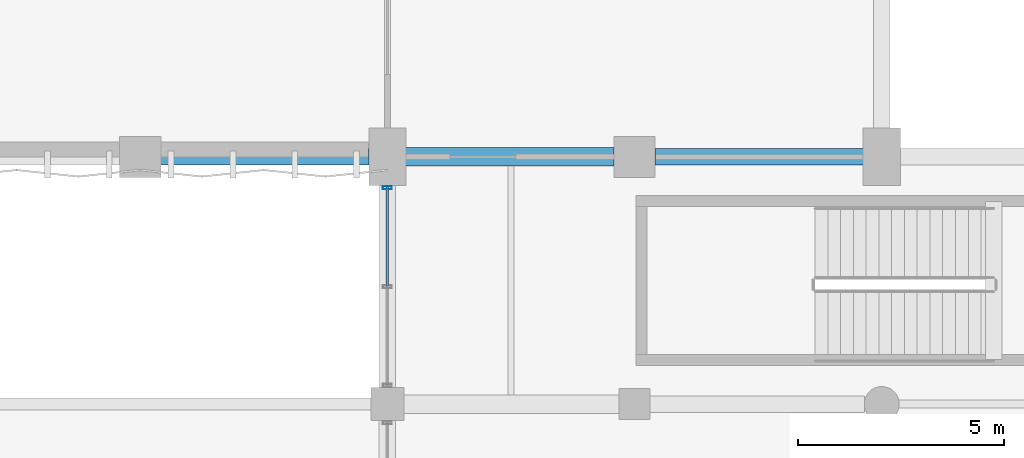
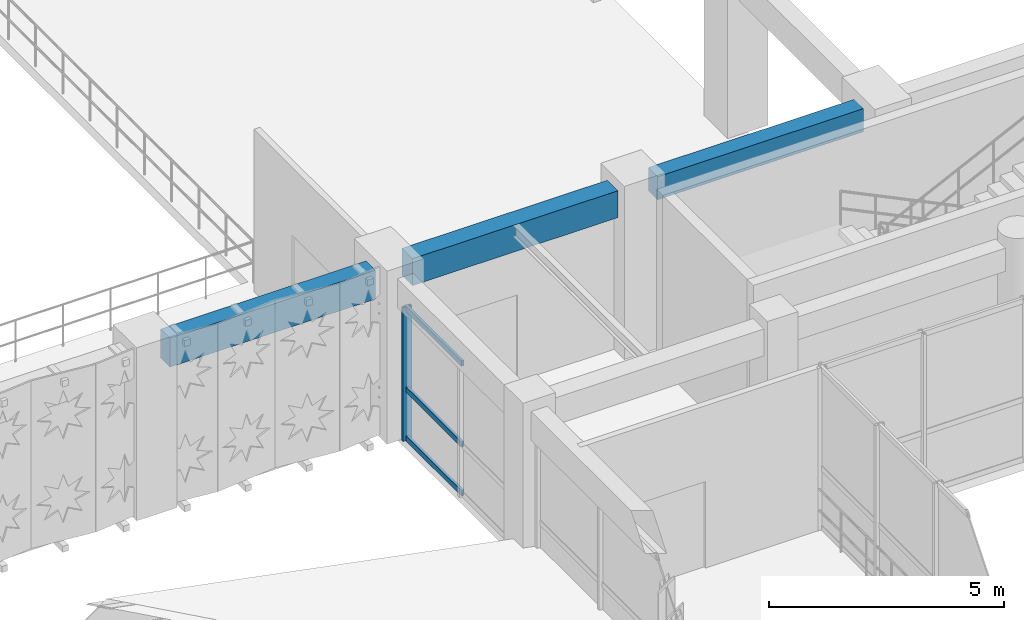
# One storey, part 22 of 133: 4 members, 3 beams, 1 element without a shape of its own.
"""IFC4 building model written with IfcOpenShell, lengths in metres."""

from ifc_helpers import new_model, si_unit, direction, frame, origin, origin_2d, place, context, subcontext, project, spatial, rectangle, hollow_rectangle, extrude, material, material_profile, profile_set, type_object, element, aggregate, save


model = new_model("IFC4")

# Units and contexts
model_context = context("Model", 3, precision=1e-05, world=origin(), true_north=direction((0.0, 1.0)))
body_context = subcontext(model_context, "Body", "Model", "MODEL_VIEW")
ifc_project = project(units=[si_unit("LENGTHUNIT", "METRE"), si_unit("AREAUNIT", "SQUARE_METRE"), si_unit("VOLUMEUNIT", "CUBIC_METRE"), si_unit("PLANEANGLEUNIT", "RADIAN"), si_unit("MASSUNIT", "GRAM", prefix="KILO"), si_unit("THERMODYNAMICTEMPERATUREUNIT", "KELVIN"), si_unit("POWERUNIT", "WATT")], contexts=[model_context])

# Site, building, storey
site_placement = place(None, origin())
site = spatial("IfcSite", under=ifc_project, at=site_placement, CompositionType="ELEMENT")
building_placement = place(site_placement, origin())
building = spatial("IfcBuilding", under=site, at=building_placement, Name="Phaisarnlok Congress Hotel", CompositionType="ELEMENT")
storey_placement = place(building_placement, frame((0.0, 0.0, 6.0)))
storey = spatial("IfcBuildingStorey", under=building, at=storey_placement, Name="L01", CompositionType="ELEMENT", Elevation=6.0)

# Beams
ifc_material_1 = material(Name="Concrete C40/50", Category="concrete")
ifc_material_profile_1 = material_profile(ifc_material_1, rectangle(XDim=0.39990234375, YDim=0.60009765625, at=origin_2d()), Name="RC 400x600")
ifc_profile_set_1 = profile_set([ifc_material_profile_1], Name="Concrete C40/50")
beam_type_1 = type_object("IfcBeamType", Name="BM-RC-400x600", PredefinedType="BEAM", material=ifc_profile_set_1)
beam_1_placement = place(storey_placement, frame((60.4951171875, 42.0, 3.919921875), z_axis=(1.0, 0.0, 0.0), x_axis=(0.0, 1.0, 0.0)))
element("IfcBeam", 1, at=beam_1_placement, inside=storey, type_object=beam_type_1, Name="Beam B-02", PredefinedType="BEAM", context=body_context, shape_type="SweptSolid", body=[
    extrude(rectangle(XDim=0.39990234375, YDim=0.60009765625, at=origin_2d()), origin(), (0.0, 0.0, 1.0), 5.059814453125),
])
ifc_material_profile_2 = material_profile(ifc_material_1, rectangle(XDim=0.449951171875, YDim=0.699951171875, at=origin_2d()), Name="RC 450x700")
ifc_profile_set_2 = profile_set([ifc_material_profile_2], Name="Concrete C40/50")
beam_type_2 = type_object("IfcBeamType", Name="BM-RC-450x700", PredefinedType="BEAM", material=ifc_profile_set_2)
beam_2_placement = place(storey_placement, frame((54.445068359375, 42.0, 3.8701171875), z_axis=(1.0, 0.0, 0.0), x_axis=(0.0, 1.0, 0.0)))
element("IfcBeam", 2, at=beam_2_placement, inside=storey, type_object=beam_type_2, Name="Beam B-03", PredefinedType="BEAM", context=body_context, shape_type="SweptSolid", body=[
    extrude(rectangle(XDim=0.449951171875, YDim=0.699951171875, at=origin_2d()), origin(), (0.0, 0.0, 1.0), 5.059814453125),
])

# Curtain wall, members
ifc_material_2 = material(Name="Thermally Broken Unitised Aluminium & Low-E Glazing", Category="aluminium")
curtain_wall_type = type_object("IfcCurtainWallType", Name="CW-UNIT-19", PredefinedType="NOTDEFINED", material=ifc_material_2)
curtain_wall_placement = place(storey_placement, origin())
curtain_wall = element("IfcCurtainWall", 3, at=curtain_wall_placement, inside=storey, type_object=curtain_wall_type, Name="Unitised curtain wall CW-19 (L01)", PredefinedType="NOTDEFINED")
ifc_material_3 = material(Name="Anodised Aluminium Alloy 6063-T6", Category="aluminium")
ifc_material_profile_3 = material_profile(ifc_material_3, hollow_rectangle(XDim=0.074951171875, YDim=0.219970703125, WallThickness=0.0048828125, at=origin_2d()), Name="ALU-M 75x220x5")
ifc_profile_set_3 = profile_set([ifc_material_profile_3], Name="Anodised Aluminium Alloy 6063-T6")
member_type_1 = type_object("IfcMemberType", Name="CWM-220", PredefinedType="MULLION", material=ifc_profile_set_3)
member_1_placement = place(storey_placement, frame((54.0, 41.25, 0.0), z_axis=(0.0, 0.0, 1.0), x_axis=(0.0, -1.0, 0.0)))
member_1 = element("IfcMember", 4, at=member_1_placement, type_object=member_type_1, Name="Curtain wall mullion CWM-02", PredefinedType="MULLION", context=body_context, shape_type="SweptSolid", body=[
    extrude(hollow_rectangle(XDim=0.074951171875, YDim=0.219970703125, WallThickness=0.0048828125, at=origin_2d()), origin(), (0.0, 0.0, 1.0), 3.469970703125),
])
ifc_material_profile_4 = material_profile(ifc_material_3, hollow_rectangle(XDim=0.06494140625, YDim=0.139892578125, WallThickness=0.00390625, at=origin_2d()), Name="ALU-T 65x140x4")
ifc_profile_set_4 = profile_set([ifc_material_profile_4], Name="Anodised Aluminium Alloy 6063-T6")
member_type_2 = type_object("IfcMemberType", Name="CWT-150", PredefinedType="USERDEFINED", material=ifc_profile_set_4)
member_2_placement = place(storey_placement, frame((54.0, 41.27490234375, 0.050048828125), z_axis=(0.0, -1.0, 0.0), x_axis=(1.0, 0.0, 0.0)))
member_2 = element("IfcMember", 5, at=member_2_placement, type_object=member_type_2, Name="Curtain wall transom CWT-01", ObjectType="TRANSOM", PredefinedType="USERDEFINED", context=body_context, shape_type="SweptSolid", body=[
    extrude(hollow_rectangle(XDim=0.06494140625, YDim=0.139892578125, WallThickness=0.00390625, at=origin_2d()), origin(), (0.0, 0.0, 1.0), 2.409912109375),
])
member_3_placement = place(storey_placement, frame((54.0, 41.27490234375, 1.318603515625), z_axis=(0.0, -1.0, 0.0), x_axis=(1.0, 0.0, 0.0)))
member_3 = element("IfcMember", 6, at=member_3_placement, type_object=member_type_2, Name="Curtain wall transom CWT-01", ObjectType="TRANSOM", PredefinedType="USERDEFINED", context=body_context, shape_type="SweptSolid", body=[
    extrude(hollow_rectangle(XDim=0.06494140625, YDim=0.139892578125, WallThickness=0.00390625, at=origin_2d()), origin(), (0.0, 0.0, 1.0), 2.409912109375),
])
member_4_placement = place(storey_placement, frame((54.0, 41.27490234375, 3.419921875), z_axis=(0.0, -1.0, 0.0), x_axis=(1.0, 0.0, 0.0)))
member_4 = element("IfcMember", 7, at=member_4_placement, type_object=member_type_2, Name="Curtain wall transom CWT-01", ObjectType="TRANSOM", PredefinedType="USERDEFINED", context=body_context, shape_type="SweptSolid", body=[
    extrude(hollow_rectangle(XDim=0.06494140625, YDim=0.139892578125, WallThickness=0.00390625, at=origin_2d()), origin(), (0.0, 0.0, 1.0), 2.409912109375),
])
aggregate(curtain_wall, [member_1, member_2, member_3, member_4])

# Beam
ifc_material_profile_5 = material_profile(ifc_material_1, rectangle(XDim=0.39990234375, YDim=0.75, at=origin_2d()), Name="RC 400x750")
ifc_profile_set_5 = profile_set([ifc_material_profile_5], Name="Concrete C40/50")
beam_type_3 = type_object("IfcBeamType", Name="SP-RC-400x750", PredefinedType="SPANDREL", material=ifc_profile_set_5)
beam_3_placement = place(storey_placement, frame((48.4951171875, 42.0, 3.844970703125), z_axis=(1.0, 0.0, 0.0), x_axis=(0.0, 1.0, 0.0)))
element("IfcBeam", 8, at=beam_3_placement, inside=storey, type_object=beam_type_3, Name="Beam SP-02", PredefinedType="SPANDREL", context=body_context, shape_type="SweptSolid", body=[
    extrude(rectangle(XDim=0.39990234375, YDim=0.75, at=origin_2d()), origin(), (0.0, 0.0, 1.0), 5.059814453125),
])

save(model, "model.ifc")
